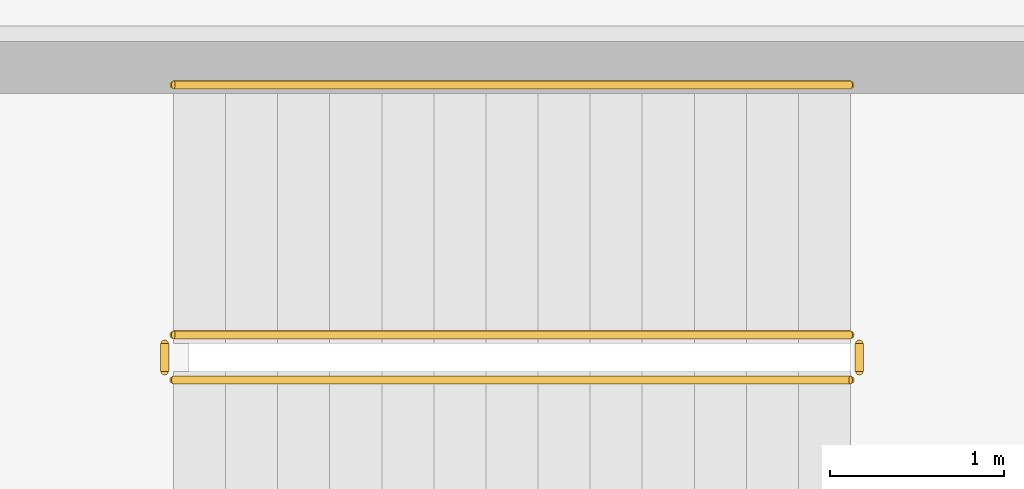
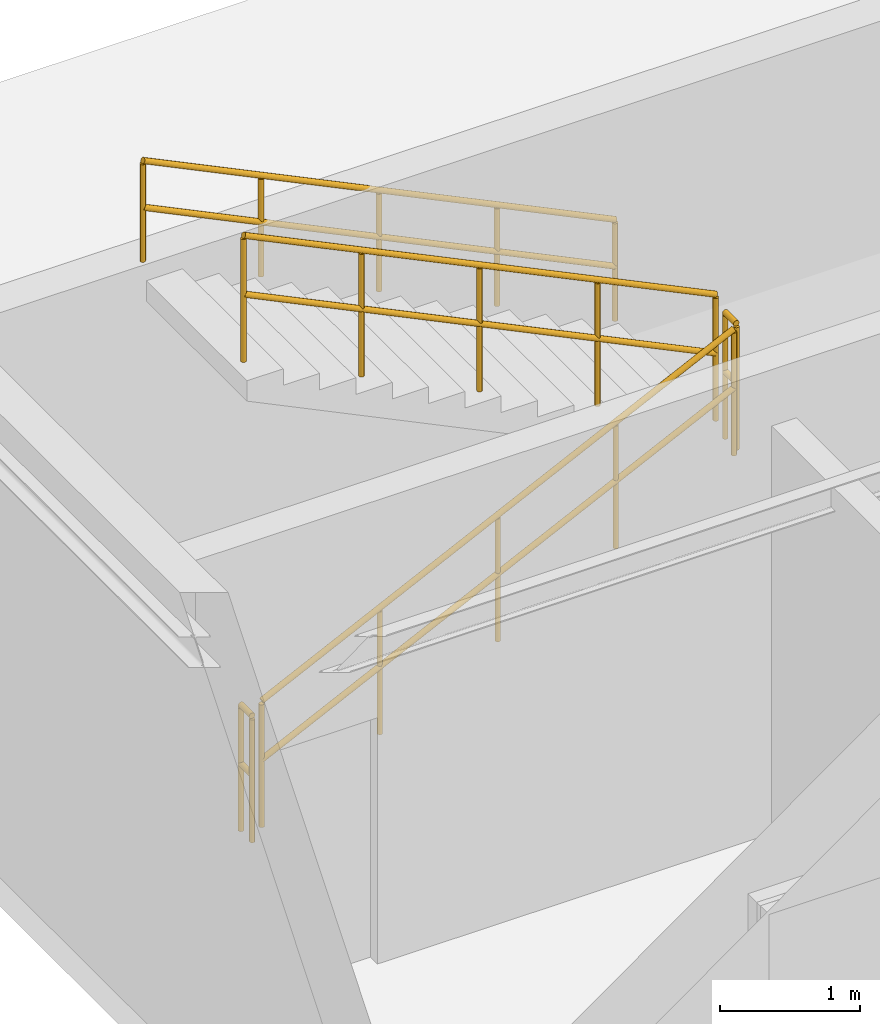
# One storey, part 65 of 70: 5 railings.
"""IFC4 building model written with IfcOpenShell, lengths in metres."""

from ifc_helpers import new_model, si_unit, derived_unit, direction, frame, origin, origin_2d, place, context, subcontext, project, spatial, circle, extrude, material, type_object, element, save


model = new_model("IFC4")

# Units and contexts
model_context = context("Model", 3, precision=1e-05, world=origin(), true_north=direction((0.0, 1.0)))
body_context = subcontext(model_context, "Body", "Model", "MODEL_VIEW")
ifc_project = project(units=[si_unit("LENGTHUNIT", "METRE"), si_unit("AREAUNIT", "SQUARE_METRE"), si_unit("VOLUMEUNIT", "CUBIC_METRE"), si_unit("PLANEANGLEUNIT", "RADIAN"), si_unit("MASSUNIT", "GRAM", prefix="KILO"), derived_unit("THERMALTRANSMITTANCEUNIT", [(si_unit("POWERUNIT", "WATT"), 1), (si_unit("AREAUNIT", "SQUARE_METRE"), -1), (si_unit("THERMODYNAMICTEMPERATUREUNIT", "KELVIN"), -1)])], contexts=[model_context])

# Site, building, storey
site_placement = place(None, origin())
site = spatial("IfcSite", under=ifc_project, at=site_placement, CompositionType="ELEMENT")
building_placement = place(site_placement, origin())
building = spatial("IfcBuilding", under=site, at=building_placement, Name="Yasenodar Specialist Clinic", CompositionType="ELEMENT")
storey_placement = place(building_placement, frame((0.0, 0.0, 13.199951171875)))
storey = spatial("IfcBuildingStorey", under=building, at=storey_placement, Name="L03", CompositionType="ELEMENT", Elevation=13.199951171875)

# Railings
ifc_material_1 = material(Name="Steel S355 Painted Stair Guardrail", Category="steel")
railing_type_1 = type_object("IfcRailingType", Name="RL-ST-GRD", PredefinedType="GUARDRAIL", material=ifc_material_1)
railing_1_placement = place(storey_placement, frame((1.840087890625, 102.449951171875, 0.144775390625)))
element("IfcRailing", 1, at=railing_1_placement, inside=storey, type_object=railing_type_1, Name="L03 ST-02 stair guard 1", PredefinedType="GUARDRAIL", context=body_context, shape_type="SweptSolid", body=[
    extrude(circle(Radius=0.02392578125, at=origin_2d()), frame((0.0, 0.0, 1.09619140625), z_axis=(0.900763166376, 0.0, 0.434310623978), x_axis=(0.0, 1.0, 0.0)), (0.0, 0.0, 1.0), 4.32958984375),
    extrude(circle(Radius=0.02392578125, at=origin_2d()), frame((0.0, 0.0, 0.58251953125), z_axis=(0.900763166376, 0.0, 0.434310623978), x_axis=(0.0, 1.0, 0.0)), (0.0, 0.0, 1.0), 4.32958984375),
    extrude(circle(Radius=0.02099609375, at=origin_2d()), origin(), (0.0, 0.0, 1.0), 1.072021484375),
    extrude(circle(Radius=0.02099609375, at=origin_2d()), frame((0.97509765625, 0.0, 0.47021484375)), (0.0, 0.0, 1.0), 1.072021484375),
    extrude(circle(Radius=0.02099609375, at=origin_2d()), frame((1.949951171875, 0.0, 0.940185546875)), (0.0, 0.0, 1.0), 1.072021484375),
    extrude(circle(Radius=0.02099609375, at=origin_2d()), frame((2.9248046875, 0.0, 1.41015625)), (0.0, 0.0, 1.0), 1.072021484375),
    extrude(circle(Radius=0.02099609375, at=origin_2d()), frame((3.89990234375, 0.0, 1.88037109375)), (0.0, 0.0, 1.0), 1.072021484375),
])
railing_2_placement = place(storey_placement, frame((5.7900390625, 102.5, 2.025146484375)))
element("IfcRailing", 2, at=railing_2_placement, inside=storey, type_object=railing_type_1, Name="L03 ST-02 stair guard 2", PredefinedType="GUARDRAIL", context=body_context, shape_type="SweptSolid", body=[
    extrude(circle(Radius=0.02392578125, at=origin_2d()), frame((0.0, 0.0, 1.09619140625), z_axis=(0.0, 1.0, 0.0), x_axis=(-1.0, 0.0, 0.0)), (0.0, 0.0, 1.0), 0.159912109375),
    extrude(circle(Radius=0.02392578125, at=origin_2d()), frame((0.0, 0.0, 0.58251953125), z_axis=(0.0, 1.0, 0.0), x_axis=(-1.0, 0.0, 0.0)), (0.0, 0.0, 1.0), 0.159912109375),
    extrude(circle(Radius=0.02099609375, at=origin_2d()), origin(), (0.0, 0.0, 1.0), 1.072021484375),
    extrude(circle(Radius=0.02099609375, at=origin_2d()), frame((0.0, 0.159912109375, 0.0)), (0.0, 0.0, 1.0), 1.072021484375),
])
railing_3_placement = place(storey_placement, frame((5.739990234375, 102.7099609375, 2.169677734375)))
element("IfcRailing", 3, at=railing_3_placement, inside=storey, type_object=railing_type_1, Name="L03 ST-02 stair guard 3", PredefinedType="GUARDRAIL", context=body_context, shape_type="SweptSolid", body=[
    extrude(circle(Radius=0.02392578125, at=origin_2d()), frame((0.0, 0.0, 1.09619140625), z_axis=(-0.900763166376, 0.0, 0.434310623978), x_axis=(0.0, -1.0, 0.0)), (0.0, 0.0, 1.0), 4.32958984375),
    extrude(circle(Radius=0.02392578125, at=origin_2d()), frame((0.0, 0.0, 0.58251953125), z_axis=(-0.900763166376, 0.0, 0.434310623978), x_axis=(0.0, -1.0, 0.0)), (0.0, 0.0, 1.0), 4.32958984375),
    extrude(circle(Radius=0.02099609375, at=origin_2d()), origin(), (0.0, 0.0, 1.0), 1.072021484375),
    extrude(circle(Radius=0.02099609375, at=origin_2d()), frame((-0.97509765625, 0.0, 0.47021484375)), (0.0, 0.0, 1.0), 1.072021484375),
    extrude(circle(Radius=0.02099609375, at=origin_2d()), frame((-1.949951171875, 0.0, 0.940185546875)), (0.0, 0.0, 1.0), 1.072021484375),
    extrude(circle(Radius=0.02099609375, at=origin_2d()), frame((-2.9248046875, 0.0, 1.41015625)), (0.0, 0.0, 1.0), 1.072021484375),
    extrude(circle(Radius=0.02099609375, at=origin_2d()), frame((-3.89990234375, 0.0, 1.88037109375)), (0.0, 0.0, 1.0), 1.072021484375),
])
railing_4_placement = place(storey_placement, frame((1.7900390625, 102.5, 0.0)))
element("IfcRailing", 4, at=railing_4_placement, inside=storey, type_object=railing_type_1, Name="L03 ST-02 stair guard 4", PredefinedType="GUARDRAIL", context=body_context, shape_type="SweptSolid", body=[
    extrude(circle(Radius=0.02392578125, at=origin_2d()), frame((0.0, 0.0, 1.09619140625), z_axis=(0.0, 1.0, 0.0), x_axis=(-1.0, 0.0, 0.0)), (0.0, 0.0, 1.0), 0.159912109375),
    extrude(circle(Radius=0.02392578125, at=origin_2d()), frame((0.0, 0.0, 0.58251953125), z_axis=(0.0, 1.0, 0.0), x_axis=(-1.0, 0.0, 0.0)), (0.0, 0.0, 1.0), 0.159912109375),
    extrude(circle(Radius=0.02099609375, at=origin_2d()), origin(), (0.0, 0.0, 1.0), 1.072021484375),
    extrude(circle(Radius=0.02099609375, at=origin_2d()), frame((0.0, 0.159912109375, 0.0)), (0.0, 0.0, 1.0), 1.072021484375),
])
ifc_material_2 = material(Name="Brushed Stainless Steel Handrail", Category="steel")
railing_type_2 = type_object("IfcRailingType", Name="RL-ST-HND", PredefinedType="HANDRAIL", material=ifc_material_2)
railing_5_placement = place(storey_placement, frame((5.739990234375, 104.14990234375, 2.169677734375)))
element("IfcRailing", 5, at=railing_5_placement, inside=storey, type_object=railing_type_2, Name="L03 ST-02 stair handrail 2", PredefinedType="HANDRAIL", context=body_context, shape_type="SweptSolid", body=[
    extrude(circle(Radius=0.02392578125, at=origin_2d()), frame((0.0, 0.0, 0.8759765625), z_axis=(-0.900763166376, 0.0, 0.434310623978), x_axis=(0.0, -1.0, 0.0)), (0.0, 0.0, 1.0), 4.32958984375),
    extrude(circle(Radius=0.02392578125, at=origin_2d()), frame((0.0, 0.0, 0.468017578125), z_axis=(-0.900763166376, 0.0, 0.434310623978), x_axis=(0.0, -1.0, 0.0)), (0.0, 0.0, 1.0), 4.32958984375),
    extrude(circle(Radius=0.02099609375, at=origin_2d()), origin(), (0.0, 0.0, 1.0), 0.851806640625),
    extrude(circle(Radius=0.02099609375, at=origin_2d()), frame((-0.97509765625, 0.0, 0.47021484375)), (0.0, 0.0, 1.0), 0.851806640625),
    extrude(circle(Radius=0.02099609375, at=origin_2d()), frame((-1.949951171875, 0.0, 0.940185546875)), (0.0, 0.0, 1.0), 0.851806640625),
    extrude(circle(Radius=0.02099609375, at=origin_2d()), frame((-2.9248046875, 0.0, 1.41015625)), (0.0, 0.0, 1.0), 0.851806640625),
    extrude(circle(Radius=0.02099609375, at=origin_2d()), frame((-3.89990234375, 0.0, 1.88037109375)), (0.0, 0.0, 1.0), 0.851806640625),
])

save(model, "model.ifc")
